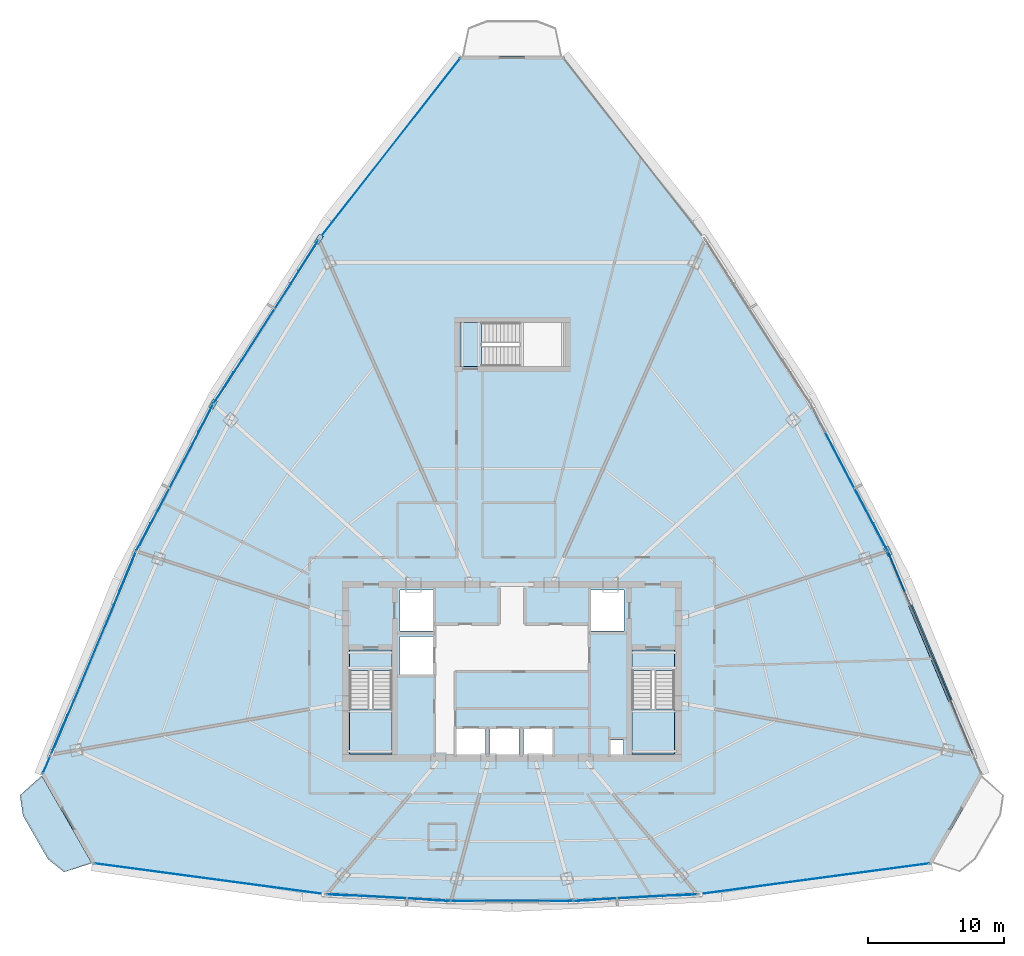
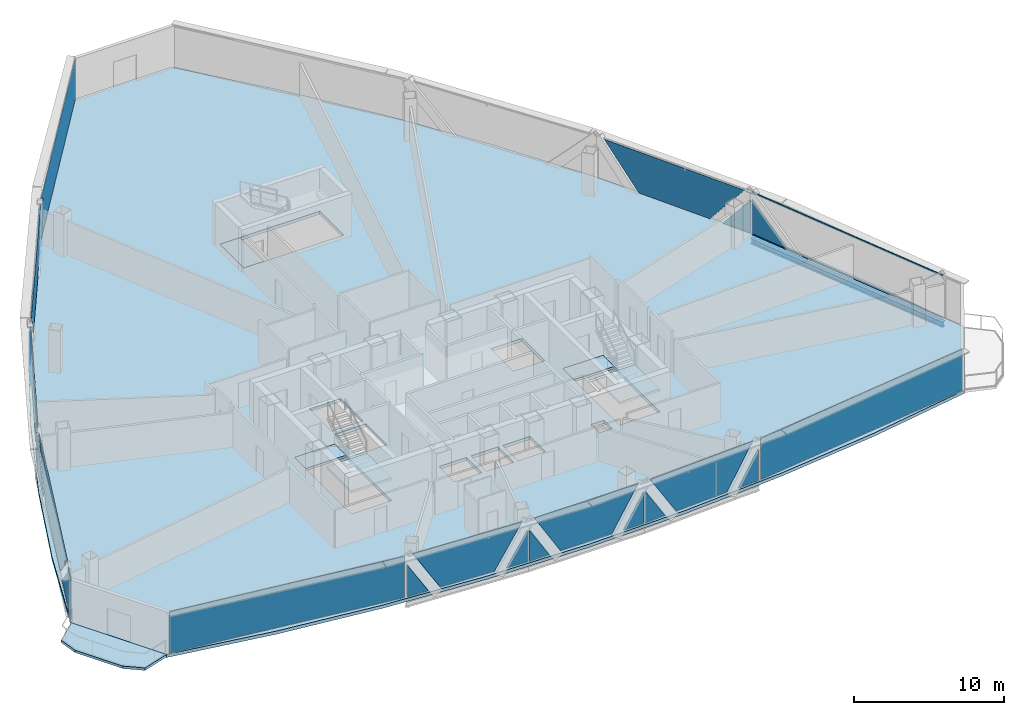
# One storey, part 28 of 37: 28 plates, 7 slabs, 2 members, 1 beam, 15 elements without a shape of their own.
"""IFC4 building model written with IfcOpenShell, lengths in metres."""

from ifc_helpers import new_model, si_unit, direction, frame, origin, origin_2d, place, context, subcontext, project, spatial, polyline, rectangle, hollow_rectangle, i_section, outline, extrude, source, transform, mapped, material, layer, layer_set, material_profile, profile_set, type_object, element, aggregate, save


model = new_model("IFC4")

# Units and contexts
model_context = context("Model", 3, precision=1e-05, world=origin(), true_north=direction((0.0, 1.0)))
body_context = subcontext(model_context, "Body", "Model", "MODEL_VIEW")
ifc_project = project(units=[si_unit("LENGTHUNIT", "METRE"), si_unit("AREAUNIT", "SQUARE_METRE"), si_unit("VOLUMEUNIT", "CUBIC_METRE"), si_unit("PLANEANGLEUNIT", "RADIAN"), si_unit("MASSUNIT", "GRAM", prefix="KILO"), si_unit("THERMODYNAMICTEMPERATUREUNIT", "KELVIN"), si_unit("POWERUNIT", "WATT")], contexts=[model_context])

# Site, building, storey
site_placement = place(None, origin())
site = spatial("IfcSite", under=ifc_project, at=site_placement, CompositionType="ELEMENT")
building_placement = place(site_placement, origin())
building = spatial("IfcBuilding", under=site, at=building_placement, Name="Yunzhuo Pagoda Commons", CompositionType="ELEMENT")
storey_placement = place(building_placement, frame((0.0, 0.0, 251.989990234375)))
storey = spatial("IfcBuildingStorey", under=building, at=storey_placement, Name="L63", CompositionType="ELEMENT", Elevation=251.989990234375)

# Beam
ifc_material_1 = material(Name="Structural steel Q355B", Category="steel")
ifc_material_profile_1 = material_profile(ifc_material_1, i_section(OverallWidth=0.300048828125, OverallDepth=0.43994140625, WebThickness=0.010986328125, FlangeThickness=0.01806640625, at=origin_2d()), Name="Structural steel Q355B")
ifc_profile_set_1 = profile_set([ifc_material_profile_1], Name="Structural steel Q355B")
beam_type = type_object("IfcBeamType", Name="B-SP2 Beam HM 440x300x11x18", PredefinedType="BEAM", material=ifc_profile_set_1)
shared_shape_1 = source(origin(), body_context, "Body", "SweptSolid", [
    extrude(i_section(OverallWidth=0.300048828125, OverallDepth=0.43994140625, WebThickness=0.010986328125, FlangeThickness=0.01806640625, at=origin_2d()), origin(), (0.0, 0.0, 1.0), 16.160888671875),
])
beam_placement = place(storey_placement, frame((81.7861328125, 27.74267578125, -0.47998046875), z_axis=(-0.386114471907, 0.922450873805, 0.0), x_axis=(-0.922450873805, -0.386114471907, 0.0)))
element("IfcBeam", 1, at=beam_placement, inside=storey, type_object=beam_type, Name="L63 facade edge spandrel beam F2.1", PredefinedType="BEAM", context=body_context, shape_type="MappedRepresentation", body=[
    mapped(shared_shape_1, transform((0.0, 0.0, 0.0), scale=1.0)),
])

# Curtain wall, members
ifc_material_2 = material(Name="Anodized aluminium 6063-T6", Category="aluminium")
ifc_layer_1 = layer(ifc_material_2, 0.139892578125)
ifc_layer_set_1 = layer_set([ifc_layer_1], Name="Anodized aluminium 6063-T6")
curtain_wall_type = type_object("IfcCurtainWallType", Name="CW-HI High-Zone Ribbon Curtain Wall", PredefinedType="NOTDEFINED", material=ifc_layer_set_1)
curtain_wall_1_placement = place(storey_placement, origin())
curtain_wall_1 = element("IfcCurtainWall", 2, at=curtain_wall_1_placement, inside=storey, type_object=curtain_wall_type, Name="L63 curtain wall CW-L63-F2B2", PredefinedType="NOTDEFINED")
ifc_material_profile_2 = material_profile(ifc_material_2, hollow_rectangle(XDim=0.054931640625, YDim=0.1201171875, WallThickness=0.00341796875, at=origin_2d()), Name="Anodized aluminium 6063-T6")
ifc_profile_set_2 = profile_set([ifc_material_profile_2], Name="Anodized aluminium 6063-T6")
member_type = type_object("IfcMemberType", Name="CW-HI-T Transom RHS 120x55x3.5", PredefinedType="USERDEFINED", material=ifc_profile_set_2)
shared_shape_2 = source(origin(), body_context, "Body", "SweptSolid", [
    extrude(hollow_rectangle(XDim=0.054931640625, YDim=0.1201171875, WallThickness=0.00341796875, at=origin_2d()), origin(), (0.0, 0.0, 1.0), 16.041259765625),
])
member_1_placement = place(storey_placement, frame((81.76318359375, 27.7978515625, 0.027587890625), z_axis=(-0.386122427173, 0.922447543893, 0.0), x_axis=(-0.922447543893, -0.386122427173, 0.0)))
member_1 = element("IfcMember", 3, at=member_1_placement, type_object=member_type, Name="CW transom 1.1", ObjectType="TRANSOM", PredefinedType="USERDEFINED", context=body_context, shape_type="MappedRepresentation", body=[
    mapped(shared_shape_2, transform((0.0, 0.0, 0.0), scale=1.0)),
])
member_2_placement = place(storey_placement, frame((81.76318359375, 27.7978515625, 3.442626953125), z_axis=(-0.386122427173, 0.922447543893, 0.0), x_axis=(-0.922447543893, -0.386122427173, 0.0)))
member_2 = element("IfcMember", 4, at=member_2_placement, type_object=member_type, Name="CW transom 1.2", ObjectType="TRANSOM", PredefinedType="USERDEFINED", context=body_context, shape_type="MappedRepresentation", body=[
    mapped(shared_shape_2, transform((0.0, 0.0, 0.0), scale=1.0)),
])

# Curtain wall, plates
curtain_wall_2_placement = place(storey_placement, origin())
curtain_wall_2 = element("IfcCurtainWall", 5, at=curtain_wall_2_placement, inside=storey, type_object=curtain_wall_type, Name="L63 curtain wall CW-L63-F1B2", PredefinedType="NOTDEFINED")
ifc_material_3 = material(Name="Tempered low-e double glazing", Category="glass")
ifc_layer_2 = layer(ifc_material_3, 0.02587890625)
ifc_layer_set_2 = layer_set([ifc_layer_2], Name="Tempered low-e double glazing")
plate_type_1 = type_object("IfcPlateType", Name="CW-HI-P Low-E Double Glazing 26", PredefinedType="CURTAIN_PANEL", material=ifc_layer_set_2)
plate_1_placement = place(storey_placement, frame((35.2568359375, 17.46533203125, 1.349609375), z_axis=(-0.053988827702, -0.998541539688, 0.0), x_axis=(0.998541539688, -0.053988827702, 0.0)))
plate_1 = element("IfcPlate", 6, at=plate_1_placement, type_object=plate_type_1, Name="CW panel 1.1 lite 1", PredefinedType="CURTAIN_PANEL", context=body_context, shape_type="SweptSolid", body=[
    extrude(outline(polyline([(-0.792724609375, -1.294677734375), (0.792724609375, -1.294677734375), (-0.792724609375, 1.294677734375), (-0.792724609375, -1.294677734375)])), origin(), (0.0, 0.0, 1.0), 0.028076171875),
])
plate_2_placement = place(storey_placement, frame((38.9677734375, 17.294921875, 1.735107421875), z_axis=(-0.053988827702, -0.998541539688, 0.0), x_axis=(0.998541539688, -0.053988827702, 0.0)))
plate_2 = element("IfcPlate", 7, at=plate_2_placement, type_object=plate_type_1, Name="CW panel 1.1 lite 2", PredefinedType="CURTAIN_PANEL", context=body_context, shape_type="SweptSolid", body=[
    extrude(outline(polyline([(-4.08837890625, 1.679931640625), (-2.031005859375, -1.679931640625), (2.031005859375, -1.679931640625), (4.08837890625, 1.679931640625), (-4.08837890625, 1.679931640625)])), origin(), (0.0, 0.0, 1.0), 0.028076171875),
])
plate_3_placement = place(storey_placement, frame((42.675537109375, 17.064208984375, 1.349609375), z_axis=(-0.053988827702, -0.998541539688, 0.0), x_axis=(0.998541539688, -0.053988827702, 0.0)))
plate_3 = element("IfcPlate", 8, at=plate_3_placement, type_object=plate_type_1, Name="CW panel 1.1 lite 3", PredefinedType="CURTAIN_PANEL", context=body_context, shape_type="SweptSolid", body=[
    extrude(outline(polyline([(-0.792724609375, -1.294677734375), (0.792724609375, -1.294677734375), (0.792724609375, 1.294677734375), (-0.792724609375, -1.294677734375)])), origin(), (0.0, 0.0, 1.0), 0.028076171875),
])
aggregate(curtain_wall_2, [plate_1, plate_2, plate_3])

curtain_wall_3_placement = place(storey_placement, origin())
curtain_wall_3 = element("IfcCurtainWall", 9, at=curtain_wall_3_placement, inside=storey, type_object=curtain_wall_type, Name="L63 curtain wall CW-L63-F1B3", PredefinedType="NOTDEFINED")
plate_4_placement = place(storey_placement, frame((44.35888671875, 17.0185546875, 1.343017578125), z_axis=(0.0, -1.0, 0.0), x_axis=(1.0, 0.0, 0.0)))
plate_4 = element("IfcPlate", 10, at=plate_4_placement, type_object=plate_type_1, Name="CW panel 1.1 lite 1", PredefinedType="CURTAIN_PANEL", context=body_context, shape_type="SweptSolid", body=[
    extrude(outline(polyline([(-0.7724609375, -1.2880859375), (0.7724609375, -1.2880859375), (-0.7724609375, 1.2880859375), (-0.7724609375, -1.2880859375)])), origin(), (0.0, 0.0, 1.0), 0.028076171875),
])
plate_5_placement = place(storey_placement, frame((48.0, 17.04833984375, 1.735107421875), z_axis=(0.0, -1.0, 0.0), x_axis=(1.0, 0.0, 0.0)))
plate_5 = element("IfcPlate", 11, at=plate_5_placement, type_object=plate_type_1, Name="CW panel 1.1 lite 2", PredefinedType="CURTAIN_PANEL", context=body_context, shape_type="SweptSolid", body=[
    extrude(outline(polyline([(-3.99755859375, 1.679931640625), (-1.982666015625, -1.679931640625), (1.982666015625, -1.679931640625), (3.99755859375, 1.679931640625), (-3.99755859375, 1.679931640625)])), origin(), (0.0, 0.0, 1.0), 0.028076171875),
])
plate_6_placement = place(storey_placement, frame((51.64111328125, 17.0185546875, 1.343017578125), z_axis=(0.0, -1.0, 0.0), x_axis=(1.0, 0.0, 0.0)))
plate_6 = element("IfcPlate", 12, at=plate_6_placement, type_object=plate_type_1, Name="CW panel 1.1 lite 3", PredefinedType="CURTAIN_PANEL", context=body_context, shape_type="SweptSolid", body=[
    extrude(outline(polyline([(-0.7724609375, -1.2880859375), (0.7724609375, -1.2880859375), (0.7724609375, 1.2880859375), (-0.7724609375, -1.2880859375)])), origin(), (0.0, 0.0, 1.0), 0.028076171875),
])
aggregate(curtain_wall_3, [plate_4, plate_5, plate_6])

curtain_wall_4_placement = place(storey_placement, origin())
curtain_wall_4 = element("IfcCurtainWall", 13, at=curtain_wall_4_placement, inside=storey, type_object=curtain_wall_type, Name="L63 curtain wall CW-L63-F1B4", PredefinedType="NOTDEFINED")
plate_7_placement = place(storey_placement, frame((53.324462890625, 17.064208984375, 1.349609375), z_axis=(0.053988827702, -0.998541539688, 0.0), x_axis=(0.998541539688, 0.053988827702, 0.0)))
plate_7 = element("IfcPlate", 14, at=plate_7_placement, type_object=plate_type_1, Name="CW panel 1.1 lite 1", PredefinedType="CURTAIN_PANEL", context=body_context, shape_type="SweptSolid", body=[
    extrude(outline(polyline([(-0.792724609375, -1.294677734375), (0.792724609375, -1.294677734375), (-0.792724609375, 1.294677734375), (-0.792724609375, -1.294677734375)])), origin(), (0.0, 0.0, 1.0), 0.028076171875),
])
plate_8_placement = place(storey_placement, frame((57.0322265625, 17.294921875, 1.735107421875), z_axis=(0.053988827702, -0.998541539688, 0.0), x_axis=(0.998541539688, 0.053988827702, 0.0)))
plate_8 = element("IfcPlate", 15, at=plate_8_placement, type_object=plate_type_1, Name="CW panel 1.1 lite 2", PredefinedType="CURTAIN_PANEL", context=body_context, shape_type="SweptSolid", body=[
    extrude(outline(polyline([(-4.08837890625, 1.679931640625), (-2.031005859375, -1.679931640625), (2.031005859375, -1.679931640625), (4.08837890625, 1.679931640625), (-4.08837890625, 1.679931640625)])), origin(), (0.0, 0.0, 1.0), 0.028076171875),
])
plate_9_placement = place(storey_placement, frame((60.7431640625, 17.46533203125, 1.349609375), z_axis=(0.053988827702, -0.998541539688, 0.0), x_axis=(0.998541539688, 0.053988827702, 0.0)))
plate_9 = element("IfcPlate", 16, at=plate_9_placement, type_object=plate_type_1, Name="CW panel 1.1 lite 3", PredefinedType="CURTAIN_PANEL", context=body_context, shape_type="SweptSolid", body=[
    extrude(outline(polyline([(-0.792724609375, -1.294677734375), (0.792724609375, -1.294677734375), (0.792724609375, 1.294677734375), (-0.792724609375, -1.294677734375)])), origin(), (0.0, 0.0, 1.0), 0.028076171875),
])
aggregate(curtain_wall_4, [plate_7, plate_8, plate_9])

# Plate
plate_10_placement = place(storey_placement, frame((76.150634765625, 41.16943359375, 1.476318359375), z_axis=(0.922450521644, 0.38611531324, 0.0), x_axis=(-0.38611531324, 0.922450521644, 0.0)))
plate_10 = element("IfcPlate", 17, at=plate_10_placement, type_object=plate_type_1, Name="CW panel 1.1 lite 3", PredefinedType="CURTAIN_PANEL", context=body_context, shape_type="SweptSolid", body=[
    extrude(outline(polyline([(-1.539306640625, -1.421142578125), (1.539306640625, -1.421142578125), (1.539306640625, 1.421142578125), (-1.539306640625, -1.421142578125)])), origin(), (0.0, 0.0, 1.0), 0.028076171875),
])

aggregate(curtain_wall_1, [member_1, member_2, plate_10])

# Curtain wall, plates
curtain_wall_5_placement = place(storey_placement, origin())
curtain_wall_5 = element("IfcCurtainWall", 18, at=curtain_wall_5_placement, inside=storey, type_object=curtain_wall_type, Name="L63 curtain wall CW-L63-F2B3", PredefinedType="NOTDEFINED")
plate_11_placement = place(storey_placement, frame((74.987548828125, 43.685791015625, 1.4248046875), z_axis=(0.885743148427, 0.464175694123, 0.0), x_axis=(-0.464175694123, 0.885743148427, 0.0)))
plate_11 = element("IfcPlate", 19, at=plate_11_placement, type_object=plate_type_1, Name="CW panel 1.1 lite 1", PredefinedType="CURTAIN_PANEL", context=body_context, shape_type="SweptSolid", body=[
    extrude(outline(polyline([(-1.116455078125, -1.369873046875), (1.116455078125, -1.369873046875), (-1.116455078125, 1.3701171875), (-1.116455078125, -1.369873046875)])), origin(), (0.0, 0.0, 1.0), 0.028076171875),
])
plate_12_placement = place(storey_placement, frame((72.68505859375, 48.014892578125, 1.735107421875), z_axis=(0.885743148427, 0.464175694123, 0.0), x_axis=(-0.464175694123, 0.885743148427, 0.0)))
plate_12 = element("IfcPlate", 20, at=plate_12_placement, type_object=plate_type_1, Name="CW panel 1.1 lite 2", PredefinedType="CURTAIN_PANEL", context=body_context, shape_type="SweptSolid", body=[
    extrude(outline(polyline([(-5.544921875, 1.679931640625), (-2.806396484375, -1.679931640625), (2.806396484375, -1.679931640625), (5.544921875, 1.679931640625), (-5.544921875, 1.679931640625)])), origin(), (0.0, 0.0, 1.0), 0.028076171875),
])
aggregate(curtain_wall_5, [plate_11, plate_12])

curtain_wall_6_placement = place(storey_placement, origin())
curtain_wall_6 = element("IfcCurtainWall", 21, at=curtain_wall_6_placement, inside=storey, type_object=curtain_wall_type, Name="L63 curtain wall CW-L63-F3B2", PredefinedType="NOTDEFINED")
plate_13_placement = place(storey_placement, frame((33.0947265625, 64.3037109375, 1.457275390625), z_axis=(-0.841750083847, 0.539867387738, 0.0), x_axis=(-0.539867387738, -0.841750083847, 0.0)))
plate_13 = element("IfcPlate", 22, at=plate_13_placement, type_object=plate_type_1, Name="CW panel 1.1 lite 1", PredefinedType="CURTAIN_PANEL", context=body_context, shape_type="SweptSolid", body=[
    extrude(outline(polyline([(-1.348388671875, -1.402099609375), (1.348388671875, -1.402099609375), (-1.348388671875, 1.402099609375), (-1.348388671875, -1.402099609375)])), origin(), (0.0, 0.0, 1.0), 0.028076171875),
])
plate_14_placement = place(storey_placement, frame((30.007568359375, 59.434814453125, 1.735107421875), z_axis=(-0.841750083847, 0.539867387738, 0.0), x_axis=(-0.539867387738, -0.841750083847, 0.0)))
plate_14 = element("IfcPlate", 23, at=plate_14_placement, type_object=plate_type_1, Name="CW panel 1.1 lite 2", PredefinedType="CURTAIN_PANEL", context=body_context, shape_type="SweptSolid", body=[
    extrude(outline(polyline([(-6.593017578125, 1.679931640625), (-3.3623046875, -1.679931640625), (3.3623046875, -1.679931640625), (6.593017578125, 1.679931640625), (-6.593017578125, 1.679931640625)])), origin(), (0.0, 0.0, 1.0), 0.028076171875),
])
plate_15_placement = place(storey_placement, frame((26.8701171875, 54.598388671875, 1.457275390625), z_axis=(-0.841750083847, 0.539867387738, 0.0), x_axis=(-0.539867387738, -0.841750083847, 0.0)))
plate_15 = element("IfcPlate", 24, at=plate_15_placement, type_object=plate_type_1, Name="CW panel 1.1 lite 3", PredefinedType="CURTAIN_PANEL", context=body_context, shape_type="SweptSolid", body=[
    extrude(outline(polyline([(-1.348388671875, -1.402099609375), (1.348388671875, -1.402099609375), (1.348388671875, 1.402099609375), (-1.348388671875, -1.402099609375)])), origin(), (0.0, 0.0, 1.0), 0.028076171875),
])
aggregate(curtain_wall_6, [plate_13, plate_14, plate_15])

curtain_wall_7_placement = place(storey_placement, origin())
curtain_wall_7 = element("IfcCurtainWall", 25, at=curtain_wall_7_placement, inside=storey, type_object=curtain_wall_type, Name="L63 curtain wall CW-L63-F3B3", PredefinedType="NOTDEFINED")
plate_16_placement = place(storey_placement, frame((25.564453125, 52.371826171875, 1.4248046875), z_axis=(-0.885743148427, 0.464175694123, 0.0), x_axis=(-0.464175694123, -0.885743148427, 0.0)))
plate_16 = element("IfcPlate", 26, at=plate_16_placement, type_object=plate_type_1, Name="CW panel 1.1 lite 1", PredefinedType="CURTAIN_PANEL", context=body_context, shape_type="SweptSolid", body=[
    extrude(outline(polyline([(-1.116455078125, -1.369873046875), (1.116455078125, -1.369873046875), (-1.116455078125, 1.3701171875), (-1.116455078125, -1.369873046875)])), origin(), (0.0, 0.0, 1.0), 0.028076171875),
])
plate_17_placement = place(storey_placement, frame((23.31494140625, 48.014892578125, 1.735107421875), z_axis=(-0.885743148427, 0.464175694123, 0.0), x_axis=(-0.464175694123, -0.885743148427, 0.0)))
plate_17 = element("IfcPlate", 27, at=plate_17_placement, type_object=plate_type_1, Name="CW panel 1.1 lite 2", PredefinedType="CURTAIN_PANEL", context=body_context, shape_type="SweptSolid", body=[
    extrude(outline(polyline([(-5.544921875, 1.679931640625), (-2.806396484375, -1.679931640625), (2.806396484375, -1.679931640625), (5.544921875, 1.679931640625), (-5.544921875, 1.679931640625)])), origin(), (0.0, 0.0, 1.0), 0.028076171875),
])
plate_18_placement = place(storey_placement, frame((21.012451171875, 43.685791015625, 1.4248046875), z_axis=(-0.885743148427, 0.464175694123, 0.0), x_axis=(-0.464175694123, -0.885743148427, 0.0)))
plate_18 = element("IfcPlate", 28, at=plate_18_placement, type_object=plate_type_1, Name="CW panel 1.1 lite 3", PredefinedType="CURTAIN_PANEL", context=body_context, shape_type="SweptSolid", body=[
    extrude(outline(polyline([(-1.116455078125, -1.369873046875), (1.116455078125, -1.369873046875), (1.116455078125, 1.3701171875), (-1.116455078125, -1.369873046875)])), origin(), (0.0, 0.0, 1.0), 0.028076171875),
])
aggregate(curtain_wall_7, [plate_16, plate_17, plate_18])

curtain_wall_8_placement = place(storey_placement, origin())
curtain_wall_8 = element("IfcCurtainWall", 29, at=curtain_wall_8_placement, inside=storey, type_object=curtain_wall_type, Name="L63 curtain wall CW-L63-F3B4", PredefinedType="NOTDEFINED")
plate_19_placement = place(storey_placement, frame((19.849365234375, 41.16943359375, 1.476318359375), z_axis=(-0.922450521644, 0.38611531324, 0.0), x_axis=(-0.38611531324, -0.922450521644, 0.0)))
plate_19 = element("IfcPlate", 30, at=plate_19_placement, type_object=plate_type_1, Name="CW panel 1.1 lite 1", PredefinedType="CURTAIN_PANEL", context=body_context, shape_type="SweptSolid", body=[
    extrude(outline(polyline([(-1.539306640625, -1.421142578125), (1.539306640625, -1.421142578125), (-1.539306640625, 1.421142578125), (-1.539306640625, -1.421142578125)])), origin(), (0.0, 0.0, 1.0), 0.028076171875),
])
plate_20_placement = place(storey_placement, frame((17.37451171875, 35.179443359375, 1.735107421875), z_axis=(-0.922450521644, 0.38611531324, 0.0), x_axis=(-0.38611531324, -0.922450521644, 0.0)))
plate_20 = element("IfcPlate", 31, at=plate_20_placement, type_object=plate_type_1, Name="CW panel 1.1 lite 2", PredefinedType="CURTAIN_PANEL", context=body_context, shape_type="SweptSolid", body=[
    extrude(outline(polyline([(-7.460693359375, 1.679931640625), (-3.8212890625, -1.679931640625), (3.8212890625, -1.679931640625), (7.460693359375, 1.679931640625), (-7.460693359375, 1.679931640625)])), origin(), (0.0, 0.0, 1.0), 0.028076171875),
])
plate_21_placement = place(storey_placement, frame((14.84423828125, 29.212646484375, 1.476318359375), z_axis=(-0.922450521644, 0.38611531324, 0.0), x_axis=(-0.38611531324, -0.922450521644, 0.0)))
plate_21 = element("IfcPlate", 32, at=plate_21_placement, type_object=plate_type_1, Name="CW panel 1.1 lite 3", PredefinedType="CURTAIN_PANEL", context=body_context, shape_type="SweptSolid", body=[
    extrude(outline(polyline([(-1.539306640625, -1.421142578125), (1.539306640625, -1.421142578125), (1.539306640625, 1.421142578125), (-1.539306640625, -1.421142578125)])), origin(), (0.0, 0.0, 1.0), 0.028076171875),
])
aggregate(curtain_wall_8, [plate_19, plate_20, plate_21])

# Slab
ifc_material_4 = material(Name="Concrete C40", Category="concrete")
ifc_layer_3 = layer(ifc_material_4, 0.199951171875)
ifc_layer_set_3 = layer_set([ifc_layer_3], Name="Concrete C40")
slab_type_1 = type_object("IfcSlabType", Name="SL-BAL Vertex Balcony Deck Slab 200", PredefinedType="FLOOR", material=ifc_layer_set_3)
slab_1_placement = place(storey_placement, frame((0.0, 0.0, -0.199951171875)))
element("IfcSlab", 33, at=slab_1_placement, inside=storey, type_object=slab_type_1, Name="L63 corner balcony V1", PredefinedType="FLOOR", context=body_context, shape_type="SweptSolid", body=[
    extrude(outline(polyline([(13.538818359375, 26.194580078125), (17.215087890625, 19.79150390625), (15.17431640625, 19.138427734375), (14.002197265625, 20.0751953125), (12.1640625, 23.276611328125), (11.946044921875, 24.760986328125), (13.538818359375, 26.194580078125)])), origin(), (0.0, 0.0, 1.0), 0.199951171875),
])

# Stair, slabs
stair_type_1 = type_object("IfcStairType", Name="ST-C1 Core Smokeproof Stair ST1", PredefinedType="HALF_TURN_STAIR", material=ifc_material_4)
stair_1_placement = place(storey_placement, origin())
stair_1 = element("IfcStair", 34, at=stair_1_placement, inside=storey, type_object=stair_type_1, Name="L63 Core smokeproof stair ST1", PredefinedType="HALF_TURN_STAIR")
ifc_layer_4 = layer(ifc_material_4, 0.199951171875)
ifc_layer_set_4 = layer_set([ifc_layer_4], Name="Concrete C40")
slab_type_2 = type_object("IfcSlabType", Name="SL-LND1 Stair Landing Slab 200", PredefinedType="LANDING", material=ifc_layer_set_4)
slab_2_placement = place(storey_placement, frame((0.0, 0.0, 1.6650390625)))
slab_2 = element("IfcSlab", 35, at=slab_2_placement, type_object=slab_type_2, Name="ST1 landing 1", PredefinedType="LANDING", context=body_context, shape_type="SweptSolid", body=[
    extrude(outline(polyline([(36.10009765625, 31.10009765625), (36.10009765625, 27.800048828125), (39.199951171875, 27.800048828125), (39.199951171875, 31.10009765625), (36.10009765625, 31.10009765625)])), origin(), (0.0, 0.0, 1.0), 0.199951171875),
])
slab_3_placement = place(storey_placement, frame((0.0, 0.0, -0.199951171875)))
slab_3 = element("IfcSlab", 36, at=slab_3_placement, type_object=slab_type_2, Name="ST1 floor landing L63", PredefinedType="LANDING", context=body_context, shape_type="SweptSolid", body=[
    extrude(outline(polyline([(36.10009765625, 35.39990234375), (36.10009765625, 33.89990234375), (39.199951171875, 33.89990234375), (39.199951171875, 35.39990234375), (36.10009765625, 35.39990234375)])), origin(), (0.0, 0.0, 1.0), 0.199951171875),
])
aggregate(stair_1, [slab_2, slab_3])

stair_type_2 = type_object("IfcStairType", Name="ST-C2 Core Smokeproof Stair ST2", PredefinedType="HALF_TURN_STAIR", material=ifc_material_4)
stair_2_placement = place(storey_placement, origin())
stair_2 = element("IfcStair", 37, at=stair_2_placement, inside=storey, type_object=stair_type_2, Name="L63 Core smokeproof stair ST2", PredefinedType="HALF_TURN_STAIR")
ifc_layer_5 = layer(ifc_material_4, 0.201904296875)
ifc_layer_set_5 = layer_set([ifc_layer_5], Name="Concrete C40")
slab_type_3 = type_object("IfcSlabType", Name="SL-LND2 Stair Landing Slab 202", PredefinedType="LANDING", material=ifc_layer_set_5)
slab_4_placement = place(storey_placement, frame((0.0, 0.0, 1.6650390625)))
slab_4 = element("IfcSlab", 38, at=slab_4_placement, type_object=slab_type_3, Name="ST2 landing 1", PredefinedType="LANDING", context=body_context, shape_type="SweptSolid", body=[
    extrude(outline(polyline([(56.800048828125, 31.10009765625), (56.800048828125, 27.800048828125), (59.89990234375, 27.800048828125), (59.89990234375, 31.10009765625), (56.800048828125, 31.10009765625)])), origin(), (0.0, 0.0, 1.0), 0.199951171875),
])
slab_5_placement = place(storey_placement, frame((0.0, 0.0, -0.199951171875)))
slab_5 = element("IfcSlab", 39, at=slab_5_placement, type_object=slab_type_3, Name="ST2 floor landing L63", PredefinedType="LANDING", context=body_context, shape_type="SweptSolid", body=[
    extrude(outline(polyline([(56.800048828125, 35.39990234375), (56.800048828125, 33.89990234375), (59.89990234375, 33.89990234375), (59.89990234375, 35.39990234375), (56.800048828125, 35.39990234375)])), origin(), (0.0, 0.0, 1.0), 0.199951171875),
])
aggregate(stair_2, [slab_4, slab_5])

# Stair, slab
stair_type_3 = type_object("IfcStairType", Name="ST-C3 North Tower Smokeproof Stair ST3", PredefinedType="HALF_TURN_STAIR", material=ifc_material_4)
stair_3_placement = place(storey_placement, origin())
stair_3 = element("IfcStair", 40, at=stair_3_placement, inside=storey, type_object=stair_type_3, Name="L63 North tower smokeproof stair ST3", PredefinedType="HALF_TURN_STAIR")
ifc_layer_6 = layer(ifc_material_4, 0.2041015625)
ifc_layer_set_6 = layer_set([ifc_layer_6], Name="Concrete C40")
slab_type_4 = type_object("IfcSlabType", Name="SL-LND5 North Landing Slab 204", PredefinedType="LANDING", material=ifc_layer_set_6)
slab_6_placement = place(storey_placement, frame((0.0, 0.0, -0.199951171875)))
slab_6 = element("IfcSlab", 41, at=slab_6_placement, type_object=slab_type_4, Name="ST3 floor landing L63", PredefinedType="LANDING", context=body_context, shape_type="SweptSolid", body=[
    extrude(outline(polyline([(44.199951171875, 56.199951171875), (45.75, 56.199951171875), (45.75, 59.39990234375), (44.199951171875, 59.39990234375), (44.199951171875, 56.199951171875)])), origin(), (0.0, 0.0, 1.0), 0.199951171875),
])
aggregate(stair_3, [slab_6])

# Slab
ifc_layer_7 = layer(ifc_material_4, 0.260009765625)
ifc_layer_set_7 = layer_set([ifc_layer_7], Name="Concrete C40")
slab_type_5 = type_object("IfcSlabType", Name="SL-TWR Typical Tower Floor Slab 260", PredefinedType="FLOOR", material=ifc_layer_set_7)
slab_7_placement = place(storey_placement, frame((0.0, 0.0, -0.260009765625)))
element("IfcSlab", 42, at=slab_7_placement, inside=storey, type_object=slab_type_5, Name="L63 structural floor slab", PredefinedType="FLOOR", context=body_context, shape_type="SweptSolid", body=[
    extrude(outline(polyline([(16.2587890625, 33.448974609375), (19.2978515625, 40.51220703125), (22.660400390625, 47.38671875), (26.34619140625, 54.072265625), (30.35546875, 60.569091796875), (34.68798828125, 66.877197265625), (39.34423828125, 72.99658203125), (44.323486328125, 78.92724609375), (51.676513671875, 78.92724609375), (56.65576171875, 72.99658203125), (61.31201171875, 66.877197265625), (65.64453125, 60.569091796875), (69.65380859375, 54.072265625), (73.339599609375, 47.38671875), (76.7021484375, 40.51220703125), (79.7412109375, 33.448974609375), (82.456787109375, 26.197021484375), (78.780517578125, 19.7939453125), (71.08544921875, 18.4833984375), (63.390380859375, 17.547119140625), (55.695068359375, 16.985595703125), (48.0, 16.798095703125), (40.304931640625, 16.985595703125), (32.60986328125, 17.547119140625), (24.91455078125, 18.4833984375), (17.219482421875, 19.7939453125), (13.543212890625, 26.197021484375), (16.2587890625, 33.448974609375)]), holes=[polyline([(56.179931640625, 28.800048828125), (55.179931640625, 28.800048828125), (55.179931640625, 27.699951171875), (56.179931640625, 27.699951171875), (56.179931640625, 28.800048828125)]), polyline([(46.050048828125, 29.64990234375), (43.949951171875, 29.64990234375), (43.949951171875, 27.60009765625), (46.050048828125, 27.60009765625), (46.050048828125, 29.64990234375)]), polyline([(48.5, 29.64990234375), (46.39990234375, 29.64990234375), (46.39990234375, 27.60009765625), (48.5, 27.60009765625), (48.5, 29.64990234375)]), polyline([(50.949951171875, 27.60009765625), (50.949951171875, 29.64990234375), (48.85009765625, 29.64990234375), (48.85009765625, 27.60009765625), (50.949951171875, 27.60009765625)]), polyline([(36.10009765625, 27.800048828125), (39.199951171875, 27.800048828125), (39.199951171875, 35.39990234375), (36.10009765625, 35.39990234375), (36.10009765625, 27.800048828125)]), polyline([(59.89990234375, 27.800048828125), (59.89990234375, 35.39990234375), (56.800048828125, 35.39990234375), (56.800048828125, 27.800048828125), (59.89990234375, 27.800048828125)]), polyline([(42.199951171875, 36.39990234375), (39.800048828125, 36.39990234375), (39.800048828125, 33.60009765625), (42.199951171875, 33.60009765625), (42.199951171875, 36.39990234375)]), polyline([(42.199951171875, 39.800048828125), (39.800048828125, 39.800048828125), (39.800048828125, 36.800048828125), (42.199951171875, 36.800048828125), (42.199951171875, 39.800048828125)]), polyline([(56.199951171875, 36.800048828125), (56.199951171875, 39.800048828125), (53.800048828125, 39.800048828125), (53.800048828125, 36.800048828125), (56.199951171875, 36.800048828125)]), polyline([(51.89990234375, 56.199951171875), (51.89990234375, 59.39990234375), (44.199951171875, 59.39990234375), (44.199951171875, 56.199951171875), (51.89990234375, 56.199951171875)])]), origin(), (0.0, 0.0, 1.0), 0.260009765625),
])

# Plates
ifc_layer_8 = layer(ifc_material_1, 0.028076171875)
ifc_layer_set_8 = layer_set([ifc_layer_8], Name="Structural steel Q355B")
plate_type_2 = type_object("IfcPlateType", Name="SP-ND1 Lattice Node Cap Plate 800x500x28", PredefinedType="USERDEFINED", material=ifc_layer_set_8)
shared_shape_3 = source(origin(), body_context, "Body", "SweptSolid", [
    extrude(rectangle(XDim=0.699951171875, YDim=0.35009765625, at=origin_2d()), origin(), (0.0, 0.0, 1.0), 0.035888671875),
])
for number, where, z_axis, x_axis, name in (
    (43, (75.546142578125, 42.650390625, 3.43212890625), (0.0, 0.0, 1.0), (-0.464177434419, 0.885742236419, 0.0), "L63 setback lattice tie plate F2.2L"),
    (44, (33.84326171875, 65.49658203125, 3.43212890625), (0.0, 0.0, 1.0), (-0.539873090716, -0.841746426141, 0.0), "L63 setback lattice tie plate F3.1L"),
    (45, (26.09814453125, 53.420654296875, 3.43212890625), (0.0, 0.0, 1.0), (-0.464177434419, -0.885742236419, 0.0), "L63 setback lattice tie plate F3.2L"),
):
    element("IfcPlate", number, at=place(storey_placement, frame(where, z_axis=z_axis, x_axis=x_axis)), inside=storey, type_object=plate_type_2, Name=name, ObjectType="STIFFENER_PLATE", PredefinedType="USERDEFINED", context=body_context, shape_type="MappedRepresentation", body=[
        mapped(shared_shape_3, transform((0.0, 0.0, 0.0), scale=1.0)),
    ])

# Curtain wall, plate
curtain_wall_9_placement = place(storey_placement, origin())
curtain_wall_9 = element("IfcCurtainWall", 46, at=curtain_wall_9_placement, inside=storey, type_object=curtain_wall_type, Name="L63 curtain wall CW-L63-F1B1", PredefinedType="NOTDEFINED")
shared_shape_4 = source(origin(), body_context, "Body", "SweptSolid", [
    extrude(rectangle(XDim=16.98193359375, YDim=0.028076171875, at=origin_2d()), origin(), (0.0, 0.0, 1.0), 3.360107421875),
])
plate_22_placement = place(storey_placement, frame((25.854736328125, 18.641845703125, 0.05517578125), z_axis=(0.0, 0.0, 1.0), x_axis=(0.991161079314, -0.132663916926, 0.0)))
plate_22 = element("IfcPlate", 47, at=plate_22_placement, type_object=plate_type_1, Name="CW panel 1.1", PredefinedType="CURTAIN_PANEL", context=body_context, shape_type="MappedRepresentation", body=[
    mapped(shared_shape_4, transform((0.0, 0.0, 0.0), scale=1.0)),
])
aggregate(curtain_wall_9, [plate_22])

curtain_wall_10_placement = place(storey_placement, origin())
curtain_wall_10 = element("IfcCurtainWall", 48, at=curtain_wall_10_placement, inside=storey, type_object=curtain_wall_type, Name="L63 curtain wall CW-L63-F1B5", PredefinedType="NOTDEFINED")
plate_23_placement = place(storey_placement, frame((70.145263671875, 18.641845703125, 0.05517578125), z_axis=(0.0, 0.0, 1.0), x_axis=(0.991161079314, 0.132663916926, 0.0)))
plate_23 = element("IfcPlate", 49, at=plate_23_placement, type_object=plate_type_1, Name="CW panel 1.1", PredefinedType="CURTAIN_PANEL", context=body_context, shape_type="MappedRepresentation", body=[
    mapped(shared_shape_4, transform((0.0, 0.0, 0.0), scale=1.0)),
])
aggregate(curtain_wall_10, [plate_23])

curtain_wall_11_placement = place(storey_placement, origin())
curtain_wall_11 = element("IfcCurtainWall", 50, at=curtain_wall_11_placement, inside=storey, type_object=curtain_wall_type, Name="L63 curtain wall CW-L63-F3B5", PredefinedType="NOTDEFINED")
shared_shape_5 = source(origin(), body_context, "Body", "SweptSolid", [
    extrude(rectangle(XDim=1.328857421875, YDim=0.028076171875, at=origin_2d()), origin(), (0.0, 0.0, 1.0), 3.360107421875),
])
plate_24_placement = place(storey_placement, frame((13.896240234375, 27.009033203125, 0.05517578125), z_axis=(0.0, 0.0, 1.0), x_axis=(-0.397256840254, -0.917707471295, 0.0)))
plate_24 = element("IfcPlate", 51, at=plate_24_placement, type_object=plate_type_1, Name="CW panel 1.1", PredefinedType="CURTAIN_PANEL", context=body_context, shape_type="MappedRepresentation", body=[
    mapped(shared_shape_5, transform((0.0, 0.0, 0.0), scale=1.0)),
])
aggregate(curtain_wall_11, [plate_24])

curtain_wall_12_placement = place(storey_placement, origin())
curtain_wall_12 = element("IfcCurtainWall", 52, at=curtain_wall_12_placement, inside=storey, type_object=curtain_wall_type, Name="L63 curtain wall CW-L63-F3B1", PredefinedType="NOTDEFINED")
shared_shape_6 = source(origin(), body_context, "Body", "SweptSolid", [
    extrude(rectangle(XDim=16.679931640625, YDim=0.028076171875, at=origin_2d()), origin(), (0.0, 0.0, 1.0), 3.360107421875),
])
plate_25_placement = place(storey_placement, frame((39.05908203125, 72.176513671875, 0.05517578125), z_axis=(0.0, 0.0, 1.0), x_axis=(-0.615432519405, -0.788189580024, 0.0)))
plate_25 = element("IfcPlate", 53, at=plate_25_placement, type_object=plate_type_1, Name="CW panel 1.1", PredefinedType="CURTAIN_PANEL", context=body_context, shape_type="MappedRepresentation", body=[
    mapped(shared_shape_6, transform((0.0, 0.0, 0.0), scale=1.0)),
])
aggregate(curtain_wall_12, [plate_25])

save(model, "model.ifc")
